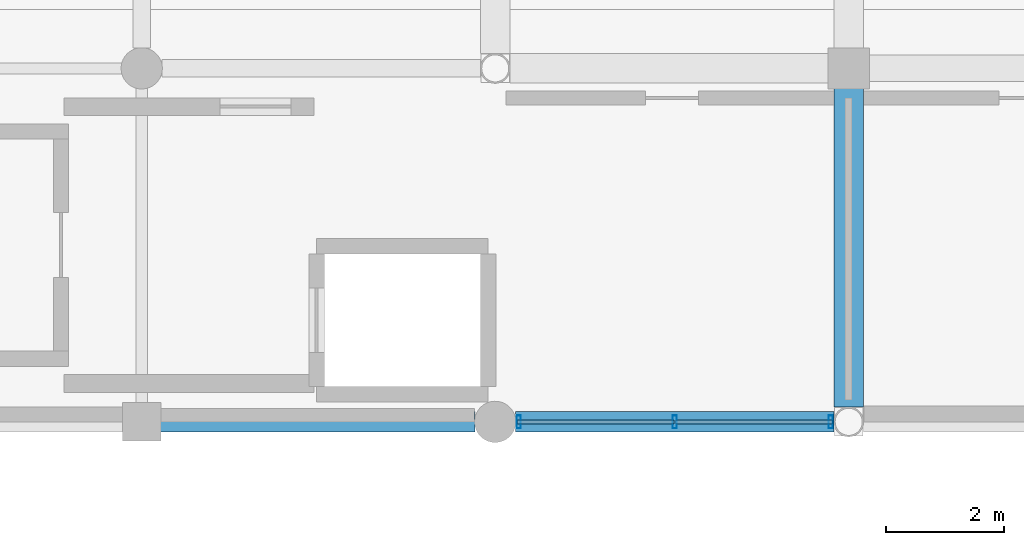
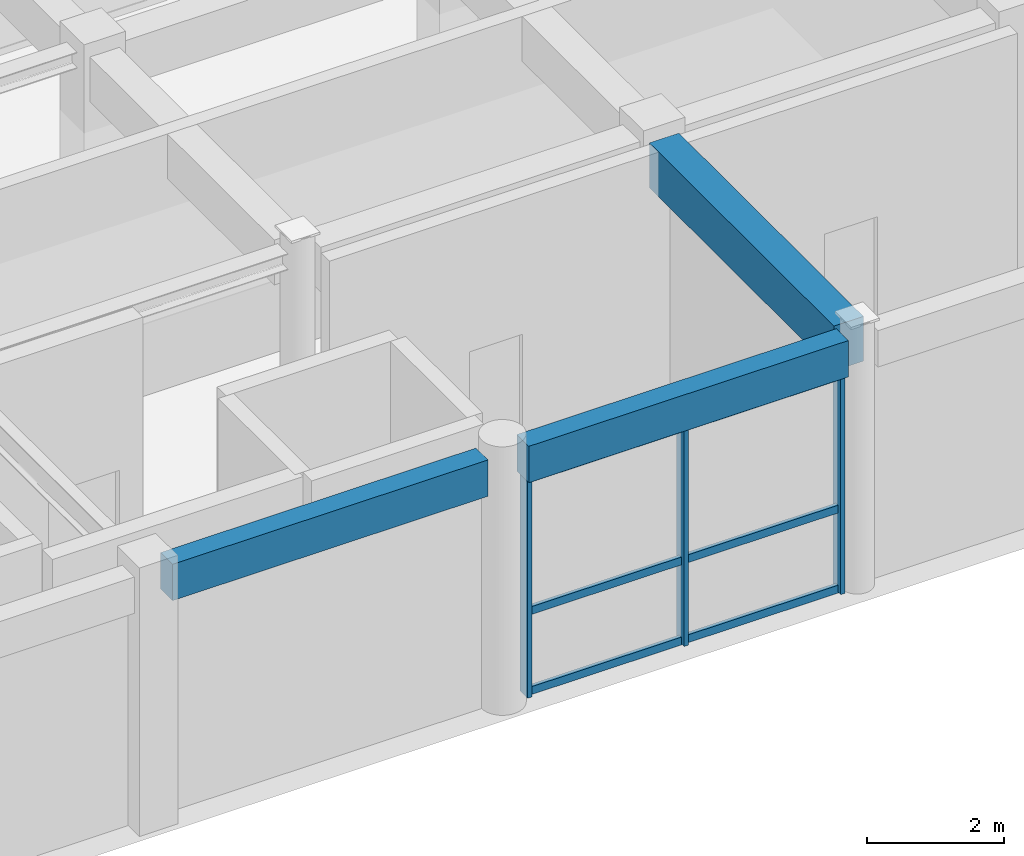
# One storey, part 51 of 112: 9 members, 3 beams, 1 element without a shape of its own.
"""IFC4 building model written with IfcOpenShell, lengths in metres."""

from ifc_helpers import new_model, si_unit, direction, frame, origin, origin_2d, place, context, subcontext, project, spatial, rectangle, hollow_rectangle, extrude, material, material_profile, profile_set, type_object, element, aggregate, save


model = new_model("IFC4")

# Units and contexts
model_context = context("Model", 3, precision=1e-05, world=origin(), true_north=direction((0.0, 1.0)))
body_context = subcontext(model_context, "Body", "Model", "MODEL_VIEW")
ifc_project = project(units=[si_unit("LENGTHUNIT", "METRE"), si_unit("AREAUNIT", "SQUARE_METRE"), si_unit("VOLUMEUNIT", "CUBIC_METRE"), si_unit("PLANEANGLEUNIT", "RADIAN"), si_unit("MASSUNIT", "GRAM", prefix="KILO"), si_unit("THERMODYNAMICTEMPERATUREUNIT", "KELVIN"), si_unit("POWERUNIT", "WATT")], contexts=[model_context])

# Site, building, storey
site_placement = place(None, origin())
site = spatial("IfcSite", under=ifc_project, at=site_placement, CompositionType="ELEMENT")
building_placement = place(site_placement, origin())
building = spatial("IfcBuilding", under=site, at=building_placement, Name="Phaisarnlok Congress Hotel", CompositionType="ELEMENT")
storey_placement = place(building_placement, frame((0.0, 0.0, 19.800048828125)))
storey = spatial("IfcBuildingStorey", under=building, at=storey_placement, Name="L04", CompositionType="ELEMENT", Elevation=19.800048828125)

# Beam
ifc_material_1 = material(Name="Concrete C40/50", Category="concrete")
ifc_material_profile_1 = material_profile(ifc_material_1, rectangle(XDim=0.5, YDim=0.800048828125, at=origin_2d()), Name="RC 500x800")
ifc_profile_set_1 = profile_set([ifc_material_profile_1], Name="Concrete C40/50")
beam_type_1 = type_object("IfcBeamType", Name="BM-RC-500x800", PredefinedType="BEAM", material=ifc_profile_set_1)
beam_1_placement = place(storey_placement, frame((126.0, 108.2490234375, 4.14990234375), z_axis=(0.0, 1.0, 0.0), x_axis=(-1.0, 0.0, 0.0)))
element("IfcBeam", 1, at=beam_1_placement, inside=storey, type_object=beam_type_1, Name="Beam B-04", PredefinedType="BEAM", context=body_context, shape_type="SweptSolid", body=[
    extrude(rectangle(XDim=0.5, YDim=0.800048828125, at=origin_2d()), origin(), (0.0, 0.0, 1.0), 5.406005859375),
])

# Curtain wall, members
ifc_material_2 = material(Name="Thermally Broken Unitised Aluminium & Low-E Glazing", Category="aluminium")
curtain_wall_type = type_object("IfcCurtainWallType", Name="CW-UNIT-34", PredefinedType="NOTDEFINED", material=ifc_material_2)
curtain_wall_placement = place(storey_placement, origin())
curtain_wall = element("IfcCurtainWall", 2, at=curtain_wall_placement, inside=storey, type_object=curtain_wall_type, Name="Unitised curtain wall CW-34 (L04)", PredefinedType="NOTDEFINED")
ifc_material_3 = material(Name="Anodised Aluminium Alloy 6063-T6", Category="aluminium")
ifc_material_profile_2 = material_profile(ifc_material_3, hollow_rectangle(XDim=0.074951171875, YDim=0.219970703125, WallThickness=0.0048828125, at=origin_2d()), Name="ALU-M 75x220x5")
ifc_profile_set_2 = profile_set([ifc_material_profile_2], Name="Anodised Aluminium Alloy 6063-T6")
member_type_1 = type_object("IfcMemberType", Name="CWM-220", PredefinedType="MULLION", material=ifc_profile_set_2)
member_1_placement = place(storey_placement, frame((120.39990234375, 108.0, 0.0), z_axis=(0.0, 0.0, 1.0), x_axis=(1.0, 0.0, 0.0)))
member_1 = element("IfcMember", 3, at=member_1_placement, type_object=member_type_1, Name="Curtain wall mullion CWM-02", PredefinedType="MULLION", context=body_context, shape_type="SweptSolid", body=[
    extrude(hollow_rectangle(XDim=0.074951171875, YDim=0.219970703125, WallThickness=0.0048828125, at=origin_2d()), origin(), (0.0, 0.0, 1.0), 3.89990234375),
])
member_2_placement = place(storey_placement, frame((123.048095703125, 108.0, 0.0), z_axis=(0.0, 0.0, 1.0), x_axis=(1.0, 0.0, 0.0)))
member_2 = element("IfcMember", 4, at=member_2_placement, type_object=member_type_1, Name="Curtain wall mullion CWM-02", PredefinedType="MULLION", context=body_context, shape_type="SweptSolid", body=[
    extrude(hollow_rectangle(XDim=0.074951171875, YDim=0.219970703125, WallThickness=0.0048828125, at=origin_2d()), origin(), (0.0, 0.0, 1.0), 3.89990234375),
])
member_3_placement = place(storey_placement, frame((125.696044921875, 108.0, 0.0), z_axis=(0.0, 0.0, 1.0), x_axis=(1.0, 0.0, 0.0)))
member_3 = element("IfcMember", 5, at=member_3_placement, type_object=member_type_1, Name="Curtain wall mullion CWM-02", PredefinedType="MULLION", context=body_context, shape_type="SweptSolid", body=[
    extrude(hollow_rectangle(XDim=0.074951171875, YDim=0.219970703125, WallThickness=0.0048828125, at=origin_2d()), origin(), (0.0, 0.0, 1.0), 3.89990234375),
])
ifc_material_profile_3 = material_profile(ifc_material_3, hollow_rectangle(XDim=0.06494140625, YDim=0.139892578125, WallThickness=0.00390625, at=origin_2d()), Name="ALU-T 65x140x4")
ifc_profile_set_3 = profile_set([ifc_material_profile_3], Name="Anodised Aluminium Alloy 6063-T6")
member_type_2 = type_object("IfcMemberType", Name="CWT-150", PredefinedType="USERDEFINED", material=ifc_profile_set_3)
member_4_placement = place(storey_placement, frame((120.375, 108.0, 0.050048828125), z_axis=(1.0, 0.0, 0.0), x_axis=(0.0, 1.0, 0.0)))
member_4 = element("IfcMember", 6, at=member_4_placement, type_object=member_type_2, Name="Curtain wall transom CWT-01", ObjectType="TRANSOM", PredefinedType="USERDEFINED", context=body_context, shape_type="SweptSolid", body=[
    extrude(hollow_rectangle(XDim=0.06494140625, YDim=0.139892578125, WallThickness=0.00390625, at=origin_2d()), origin(), (0.0, 0.0, 1.0), 2.657958984375),
])
member_5_placement = place(storey_placement, frame((120.375, 108.0, 1.48193359375), z_axis=(1.0, 0.0, 0.0), x_axis=(0.0, 1.0, 0.0)))
member_5 = element("IfcMember", 7, at=member_5_placement, type_object=member_type_2, Name="Curtain wall transom CWT-01", ObjectType="TRANSOM", PredefinedType="USERDEFINED", context=body_context, shape_type="SweptSolid", body=[
    extrude(hollow_rectangle(XDim=0.06494140625, YDim=0.139892578125, WallThickness=0.00390625, at=origin_2d()), origin(), (0.0, 0.0, 1.0), 2.657958984375),
])
member_6_placement = place(storey_placement, frame((120.375, 108.0, 3.849853515625), z_axis=(1.0, 0.0, 0.0), x_axis=(0.0, 1.0, 0.0)))
member_6 = element("IfcMember", 8, at=member_6_placement, type_object=member_type_2, Name="Curtain wall transom CWT-01", ObjectType="TRANSOM", PredefinedType="USERDEFINED", context=body_context, shape_type="SweptSolid", body=[
    extrude(hollow_rectangle(XDim=0.06494140625, YDim=0.139892578125, WallThickness=0.00390625, at=origin_2d()), origin(), (0.0, 0.0, 1.0), 2.657958984375),
])
member_7_placement = place(storey_placement, frame((123.06298828125, 108.0, 0.050048828125), z_axis=(1.0, 0.0, 0.0), x_axis=(0.0, 1.0, 0.0)))
member_7 = element("IfcMember", 9, at=member_7_placement, type_object=member_type_2, Name="Curtain wall transom CWT-01", ObjectType="TRANSOM", PredefinedType="USERDEFINED", context=body_context, shape_type="SweptSolid", body=[
    extrude(hollow_rectangle(XDim=0.06494140625, YDim=0.139892578125, WallThickness=0.00390625, at=origin_2d()), origin(), (0.0, 0.0, 1.0), 2.657958984375),
])
member_8_placement = place(storey_placement, frame((123.06298828125, 108.0, 1.48193359375), z_axis=(1.0, 0.0, 0.0), x_axis=(0.0, 1.0, 0.0)))
member_8 = element("IfcMember", 10, at=member_8_placement, type_object=member_type_2, Name="Curtain wall transom CWT-01", ObjectType="TRANSOM", PredefinedType="USERDEFINED", context=body_context, shape_type="SweptSolid", body=[
    extrude(hollow_rectangle(XDim=0.06494140625, YDim=0.139892578125, WallThickness=0.00390625, at=origin_2d()), origin(), (0.0, 0.0, 1.0), 2.657958984375),
])
member_9_placement = place(storey_placement, frame((123.06298828125, 108.0, 3.849853515625), z_axis=(1.0, 0.0, 0.0), x_axis=(0.0, 1.0, 0.0)))
member_9 = element("IfcMember", 11, at=member_9_placement, type_object=member_type_2, Name="Curtain wall transom CWT-01", ObjectType="TRANSOM", PredefinedType="USERDEFINED", context=body_context, shape_type="SweptSolid", body=[
    extrude(hollow_rectangle(XDim=0.06494140625, YDim=0.139892578125, WallThickness=0.00390625, at=origin_2d()), origin(), (0.0, 0.0, 1.0), 2.657958984375),
])
aggregate(curtain_wall, [member_1, member_2, member_3, member_4, member_5, member_6, member_7, member_8, member_9])

# Beams
ifc_material_profile_4 = material_profile(ifc_material_1, rectangle(XDim=0.35009765625, YDim=0.64990234375, at=origin_2d()), Name="RC 350x650")
ifc_profile_set_4 = profile_set([ifc_material_profile_4], Name="Concrete C40/50")
beam_type_2 = type_object("IfcBeamType", Name="SP-RC-350x650", PredefinedType="SPANDREL", material=ifc_profile_set_4)
beam_2_placement = place(storey_placement, frame((114.320068359375, 108.0, 4.224853515625), z_axis=(1.0, 0.0, 0.0), x_axis=(0.0, 1.0, 0.0)))
element("IfcBeam", 12, at=beam_2_placement, inside=storey, type_object=beam_type_2, Name="Beam SP-01", PredefinedType="SPANDREL", context=body_context, shape_type="SweptSolid", body=[
    extrude(rectangle(XDim=0.35009765625, YDim=0.64990234375, at=origin_2d()), origin(), (0.0, 0.0, 1.0), 5.3349609375),
])
beam_3_placement = place(storey_placement, frame((120.344970703125, 108.0, 4.224853515625), z_axis=(1.0, 0.0, 0.0), x_axis=(0.0, 1.0, 0.0)))
element("IfcBeam", 13, at=beam_3_placement, inside=storey, type_object=beam_type_2, Name="Beam SP-01", PredefinedType="SPANDREL", context=body_context, shape_type="SweptSolid", body=[
    extrude(rectangle(XDim=0.35009765625, YDim=0.64990234375, at=origin_2d()), origin(), (0.0, 0.0, 1.0), 5.406005859375),
])

save(model, "model.ifc")
